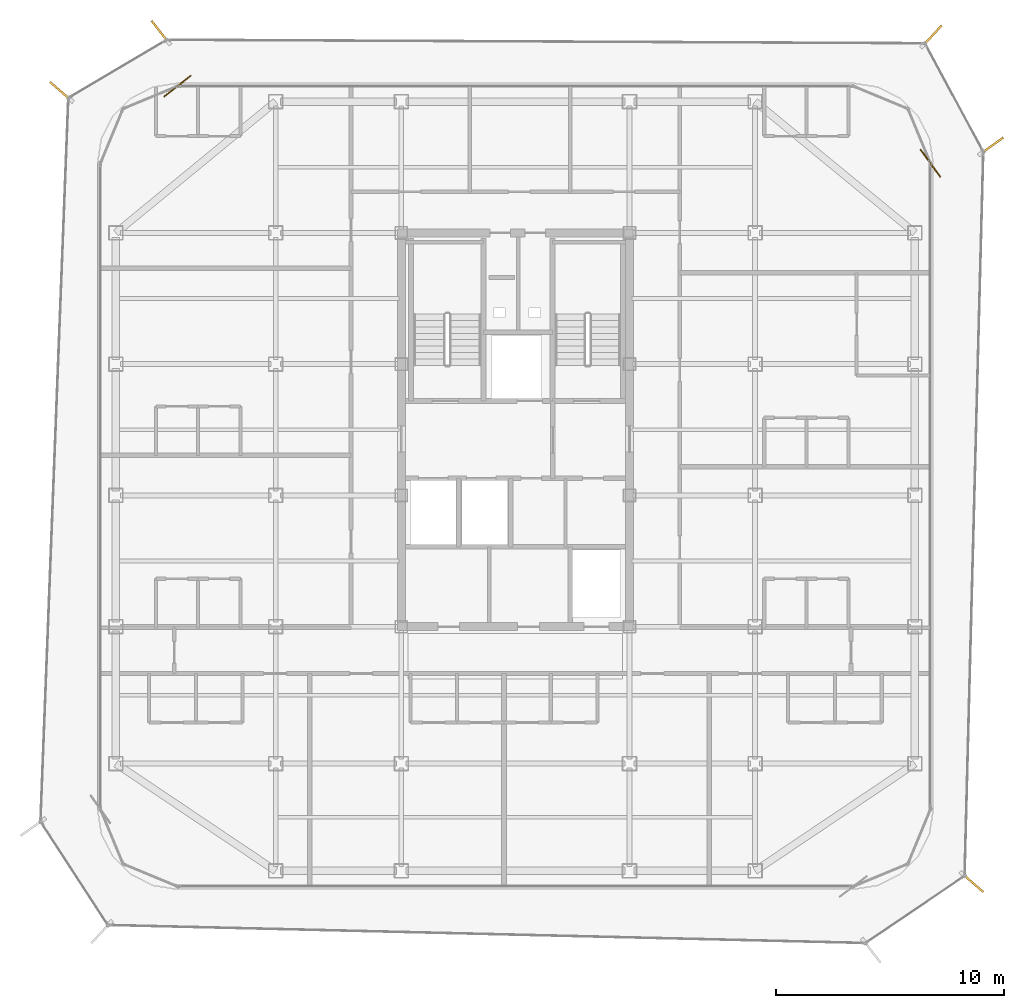
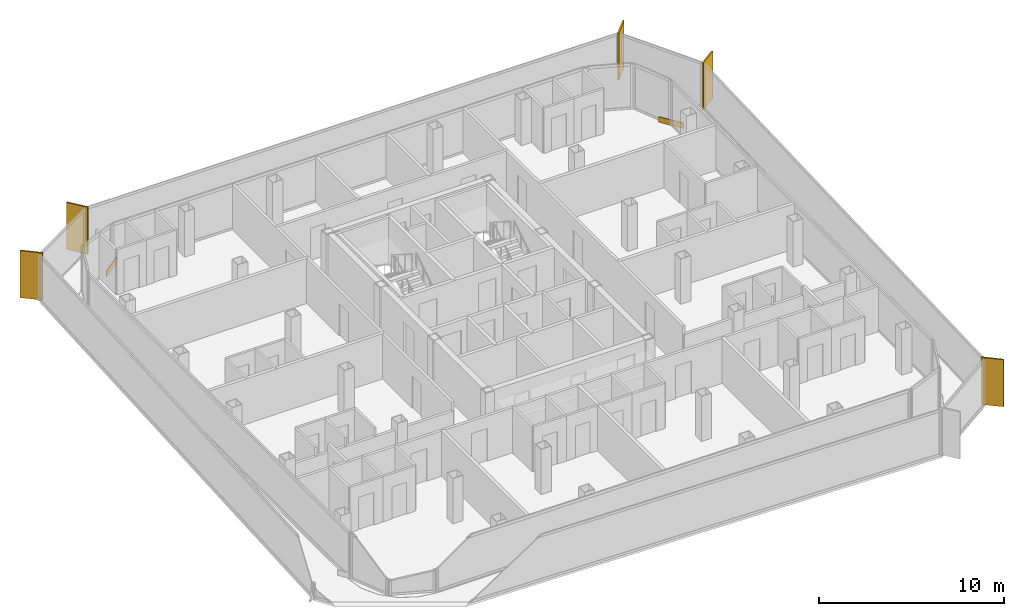
# One storey, part 16 of 16: 5 shading devices, 2 coverings.
"""IFC4 building model written with IfcOpenShell, lengths in metres."""

from ifc_helpers import new_model, si_unit, direction, frame, origin, origin_2d, place, context, subcontext, project, spatial, rectangle, extrude, source, transform, mapped, material, layer, layer_set, type_object, element, save


model = new_model("IFC4")

# Units and contexts
model_context = context("Model", 3, precision=1e-05, world=origin(), true_north=direction((0.0, 1.0)))
body_context = subcontext(model_context, "Body", "Model", "MODEL_VIEW")
ifc_project = project(units=[si_unit("LENGTHUNIT", "METRE"), si_unit("AREAUNIT", "SQUARE_METRE"), si_unit("VOLUMEUNIT", "CUBIC_METRE"), si_unit("PLANEANGLEUNIT", "RADIAN"), si_unit("MASSUNIT", "GRAM", prefix="KILO")], contexts=[model_context])

# Site, building, storey
site_placement = place(None, origin())
site = spatial("IfcSite", under=ifc_project, at=site_placement, CompositionType="ELEMENT")
building_placement = place(site_placement, origin())
building = spatial("IfcBuilding", under=site, at=building_placement, Name="Kolveth Station Tower", CompositionType="ELEMENT")
storey_placement = place(building_placement, frame((0.0, 0.0, 236.10009765625)))
storey = spatial("IfcBuildingStorey", under=building, at=storey_placement, Name="L67", CompositionType="ELEMENT", Elevation=236.10009765625)

# Shading devices
ifc_material_1 = material(Name="Black anodized aluminium 6063-T6", Category="aluminium")
shading_device_type = type_object("IfcShadingDeviceType", Name="FIN_VF1", PredefinedType="USERDEFINED", material=ifc_material_1)
shared_shape_1 = source(origin(), body_context, "Body", "SweptSolid", [
    extrude(rectangle(XDim=1.25, YDim=0.090087890625, at=origin_2d()), origin(), (0.0, 0.0, 1.0), 3.10009765625),
])
for number, where, z_axis, x_axis, name in (
    (1, (43.52294921875, 0.287109375, -0.000244140625), (0.0, 0.0, 1.0), (0.755510544084, -0.6551364879, 0.0), "L67 Dark-Aluminium Solar Fin 2"),
    (2, (44.368896484375, 32.56494140625, -0.000244140625), (0.0, 0.0, 1.0), (0.813608449501, 0.58141318432, 0.0), "L67 Dark-Aluminium Solar Fin 3"),
    (3, (41.7509765625, 37.37890625, -0.000244140625), (0.0, 0.0, 1.0), (0.679057031084, 0.734085518544, 0.0), "L67 Dark-Aluminium Solar Fin 4"),
    (4, (7.94189453125, 37.554931640625, -0.000244140625), (0.0, 0.0, 1.0), (-0.61579899977, 0.787903288407, 0.0), "L67 Dark-Aluminium Solar Fin 5"),
    (5, (3.5830078125, 34.951904296875, -0.000244140625), (0.0, 0.0, 1.0), (-0.754938542041, 0.655795545685, 0.0), "L67 Dark-Aluminium Solar Fin 6"),
):
    element("IfcShadingDevice", number, at=place(storey_placement, frame(where, z_axis=z_axis, x_axis=x_axis)), inside=storey, type_object=shading_device_type, Name=name, ObjectType="FIN", PredefinedType="USERDEFINED", context=body_context, shape_type="MappedRepresentation", body=[
        mapped(shared_shape_1, transform((0.0, 0.0, 0.0), x_axis=(1.0, 0.0, 0.0), y_axis=(0.0, 1.0, 0.0), z_axis=(0.0, 0.0, 1.0), scale=1.0)),
    ])

# Coverings
ifc_material_2 = material(Name="Charcoal anodized aluminium spandrel cladding", Category="aluminium")
ifc_layer = layer(ifc_material_2, 0.044921875)
ifc_layer_set = layer_set([ifc_layer], Name="Charcoal anodized aluminium spandrel cladding")
covering_type = type_object("IfcCoveringType", Name="Clad_CD1", PredefinedType="CLADDING", material=ifc_layer_set)
shared_shape_2 = source(origin(), body_context, "Body", "SweptSolid", [
    extrude(rectangle(XDim=1.5, YDim=0.044921875, at=origin_2d()), origin(), (0.0, 0.0, 1.0), 0.360107421875),
])
for number, where, z_axis, x_axis, name in (
    (6, (41.679931640625, 31.800048828125, 0.0), (0.0, 0.0, 1.0), (-0.58141318432, 0.813608449501, 0.0), "L67 Spandrel Edge Cladding 3"),
    (7, (8.699951171875, 35.179931640625, 0.0), (0.0, 0.0, 1.0), (-0.787903288407, -0.61579899977, 0.0), "L67 Spandrel Edge Cladding 5"),
):
    element("IfcCovering", number, at=place(storey_placement, frame(where, z_axis=z_axis, x_axis=x_axis)), inside=storey, type_object=covering_type, Name=name, PredefinedType="CLADDING", context=body_context, shape_type="MappedRepresentation", body=[
        mapped(shared_shape_2, transform((0.0, 0.0, 0.0), x_axis=(1.0, 0.0, 0.0), y_axis=(0.0, 1.0, 0.0), z_axis=(0.0, 0.0, 1.0), scale=1.0)),
    ])

save(model, "model.ifc")
